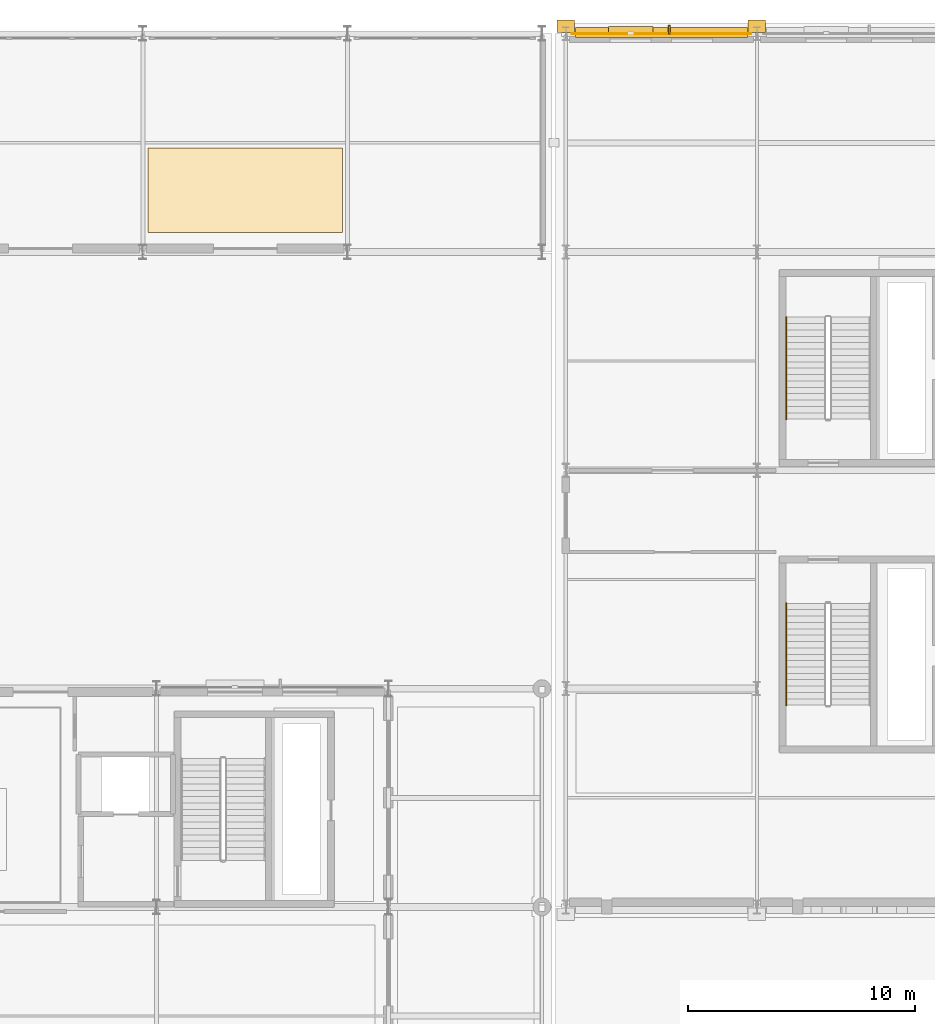
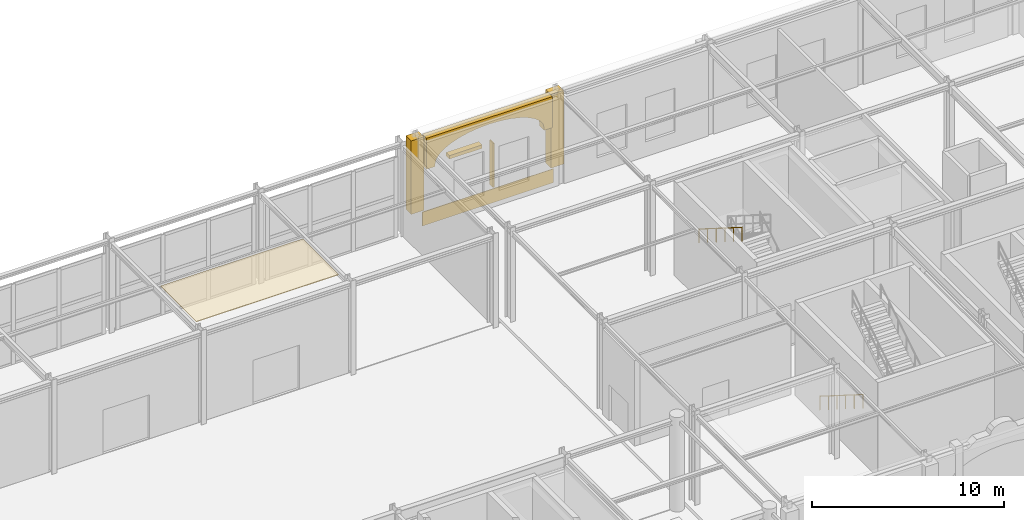
# One storey, part 96 of 113: 5 coverings, 2 railings, 2 shading devices.
"""IFC4 building model written with IfcOpenShell, lengths in metres."""

from ifc_helpers import new_model, si_unit, direction, frame, origin, origin_2d, place, context, subcontext, project, spatial, polyline, rectangle, outline, extrude, material, layer, layer_set, type_object, element, save


model = new_model("IFC4")

# Units and contexts
model_context = context("Model", 3, precision=1e-05, world=origin(), true_north=direction((0.0, 1.0)))
body_context = subcontext(model_context, "Body", "Model", "MODEL_VIEW")
ifc_project = project(units=[si_unit("LENGTHUNIT", "METRE"), si_unit("AREAUNIT", "SQUARE_METRE"), si_unit("VOLUMEUNIT", "CUBIC_METRE"), si_unit("PLANEANGLEUNIT", "RADIAN"), si_unit("MASSUNIT", "GRAM", prefix="KILO")], contexts=[model_context])

# Site, building, storey
site_placement = place(None, origin())
site = spatial("IfcSite", under=ifc_project, at=site_placement, CompositionType="ELEMENT")
building_placement = place(site_placement, origin())
building = spatial("IfcBuilding", under=site, at=building_placement, Name="Myrtia Square Station", CompositionType="ELEMENT")
storey_placement = place(building_placement, origin())
storey = spatial("IfcBuildingStorey", under=building, at=storey_placement, Name="L00", CompositionType="ELEMENT", Elevation=0.0)

# Coverings
ifc_material_1 = material(Name="Pentelic marble ashlar", Category="masonry")
ifc_layer_1 = layer(ifc_material_1, 0.4599609375, Name="Pentelic marble ashlar")
ifc_layer_set_1 = layer_set([ifc_layer_1], Name="Pentelic marble ashlar")
covering_type_1 = type_object("IfcCoveringType", Name="COV-ARCH-ASHLAR", PredefinedType="CLADDING", material=ifc_layer_set_1)
covering_1_placement = place(storey_placement, frame((118.02001953125, 124.85009765625, 3.64990234375), z_axis=(0.0, 0.0, 1.0), x_axis=(1.0, 0.0, 0.0)))
element("IfcCovering", 1, at=covering_1_placement, inside=storey, type_object=covering_type_1, Name="North boulevard facade arch spandrel 028", PredefinedType="CLADDING", context=body_context, shape_type="SweptSolid", body=[
    extrude(outline(polyline([(0.0, 0.0), (0.5, 0.0), (0.5, 0.150146484375), (0.56298828125, 0.42333984375), (0.749755859375, 0.685791015625), (1.052734375, 0.927978515625), (1.460693359375, 1.14013671875), (1.957763671875, 1.314208984375), (2.52490234375, 1.443603515625), (3.14013671875, 1.523193359375), (3.780029296875, 1.550048828125), (4.419921875, 1.523193359375), (5.03515625, 1.443603515625), (5.602294921875, 1.314208984375), (6.099365234375, 1.14013671875), (6.50732421875, 0.927978515625), (6.810302734375, 0.685791015625), (6.9970703125, 0.42333984375), (7.06005859375, 0.150146484375), (7.06005859375, 0.0), (7.56005859375, 0.0), (7.56005859375, 1.97021484375), (0.0, 1.97021484375), (0.0, 0.0)])), frame((0.0, 0.22998046875, 0.0), z_axis=(0.0, -1.0, 0.0), x_axis=(1.0, 0.0, 0.0)), (0.0, 0.0, 1.0), 0.4599609375),
])
for number, where, z_axis, x_axis, name in (
    (2, (117.60009765625, 125.1201171875, 0.919921875), (0.0, 0.0, 1.0), (1.0, 0.0, 0.0), "Classical Pentelic ashlar pilaster 056"),
    (3, (126.0, 125.1201171875, 0.919921875), (0.0, 0.0, 1.0), (1.0, 0.0, 0.0), "Classical Pentelic ashlar pilaster 062"),
):
    element("IfcCovering", number, at=place(storey_placement, frame(where, z_axis=z_axis, x_axis=x_axis)), inside=storey, type_object=covering_type_1, Name=name, PredefinedType="CLADDING", context=body_context, shape_type="SweptSolid", body=[
        extrude(rectangle(XDim=0.780029296875, YDim=0.56005859375, at=origin_2d()), origin(), (0.0, 0.0, 1.0), 4.679931640625),
    ])
ifc_material_2 = material(Name="Acoustic European oak timber", Category="wood")
ifc_layer_2 = layer(ifc_material_2, 0.044921875, Name="Acoustic European oak timber")
ifc_layer_set_2 = layer_set([ifc_layer_2], Name="Acoustic European oak timber")
covering_type_2 = type_object("IfcCoveringType", Name="COV-CEIL-OAK", PredefinedType="CEILING", material=ifc_layer_set_2)
covering_2_placement = place(storey_placement, frame((0.0, 0.0, 5.7099609375)))
element("IfcCovering", 4, at=covering_2_placement, inside=storey, type_object=covering_type_2, Name="Acoustic coffer ceiling L00-21", PredefinedType="CEILING", context=body_context, shape_type="SweptSolid", body=[
    extrude(outline(polyline([(99.219970703125, 116.050048828125), (99.219970703125, 119.780029296875), (107.780029296875, 119.780029296875), (107.780029296875, 116.050048828125), (99.219970703125, 116.050048828125)])), origin(), (0.0, 0.0, 1.0), 0.044921875),
])
ifc_material_3 = material(Name="Polychrome glazed ceramic tile", Category="masonry")
ifc_layer_3 = layer(ifc_material_3, 0.034912109375, Name="Polychrome glazed ceramic tile")
ifc_layer_set_3 = layer_set([ifc_layer_3], Name="Polychrome glazed ceramic tile")
covering_type_3 = type_object("IfcCoveringType", Name="COV-CLAD-FAIENCE", PredefinedType="CLADDING", material=ifc_layer_set_3)
covering_3_placement = place(storey_placement, frame((121.800048828125, 124.797607421875, 0.0), z_axis=(0.0, 0.0, 1.0), x_axis=(1.0, 0.0, 0.0)))
element("IfcCovering", 5, at=covering_3_placement, inside=storey, type_object=covering_type_3, Name="Spanish Colonial Revival dado cladding 018", PredefinedType="CLADDING", context=body_context, shape_type="SweptSolid", body=[
    extrude(rectangle(XDim=7.889892578125, YDim=0.034912109375, at=origin_2d()), origin(), (0.0, 0.0, 1.0), 0.8798828125),
])

# Railings
ifc_material_4 = material(Name="Dark bronze anodised aluminium", Category="aluminium")
railing_type = type_object("IfcRailingType", Name="RL-HANDRAIL-900", PredefinedType="HANDRAIL", material=ifc_material_4)
railing_1_placement = place(storey_placement, frame((127.300048828125, 112.330078125, 3.176513671875)))
element("IfcRailing", 6, at=railing_1_placement, inside=storey, type_object=railing_type, Name="L00 ST07 stair handrail 2", PredefinedType="HANDRAIL", context=body_context, shape_type="SweptSolid", body=[
    extrude(rectangle(XDim=0.048095703125, YDim=0.048095703125, at=origin_2d()), frame((0.0, -0.029296875, 0.894287109375), z_axis=(0.0, -0.845997938375, 0.533186166611), x_axis=(1.0, 0.0, 0.0)), (0.0, 0.0, 1.0), 0.98974609375),
    extrude(rectangle(XDim=0.048095703125, YDim=0.048095703125, at=origin_2d()), frame((0.0, -0.92529296875, 1.458984375), z_axis=(0.0, -0.845997938375, 0.533186166611), x_axis=(1.0, 0.0, 0.0)), (0.0, 0.0, 1.0), 0.98974609375),
    extrude(rectangle(XDim=0.048095703125, YDim=0.048095703125, at=origin_2d()), frame((0.0, -1.8212890625, 2.023681640625), z_axis=(0.0, -0.845997938375, 0.533186166611), x_axis=(1.0, 0.0, 0.0)), (0.0, 0.0, 1.0), 0.98974609375),
    extrude(rectangle(XDim=0.048095703125, YDim=0.048095703125, at=origin_2d()), frame((0.0, -2.71728515625, 2.58837890625), z_axis=(0.0, -0.845997938375, 0.533186166611), x_axis=(1.0, 0.0, 0.0)), (0.0, 0.0, 1.0), 0.98974609375),
    extrude(rectangle(XDim=0.048095703125, YDim=0.048095703125, at=origin_2d()), frame((0.0, -3.61328125, 3.153076171875), z_axis=(0.0, -0.845997938375, 0.533186166611), x_axis=(1.0, 0.0, 0.0)), (0.0, 0.0, 1.0), 0.98974609375),
    extrude(rectangle(XDim=0.0439453125, YDim=0.0439453125, at=origin_2d()), origin(), (0.0, 0.0, 1.0), 0.89990234375),
    extrude(rectangle(XDim=0.0439453125, YDim=0.0439453125, at=origin_2d()), frame((0.0, -0.89599609375, 0.564697265625)), (0.0, 0.0, 1.0), 0.89990234375),
    extrude(rectangle(XDim=0.0439453125, YDim=0.0439453125, at=origin_2d()), frame((0.0, -1.7919921875, 1.12939453125)), (0.0, 0.0, 1.0), 0.89990234375),
    extrude(rectangle(XDim=0.0439453125, YDim=0.0439453125, at=origin_2d()), frame((0.0, -2.68798828125, 1.694091796875)), (0.0, 0.0, 1.0), 0.89990234375),
    extrude(rectangle(XDim=0.0439453125, YDim=0.0439453125, at=origin_2d()), frame((0.0, -3.583984375, 2.2587890625)), (0.0, 0.0, 1.0), 0.89990234375),
    extrude(rectangle(XDim=0.0439453125, YDim=0.0439453125, at=origin_2d()), frame((0.0, -4.47998046875, 2.823486328125)), (0.0, 0.0, 1.0), 0.89990234375),
])
railing_2_placement = place(storey_placement, frame((127.300048828125, 99.75, 0.176513671875)))
element("IfcRailing", 7, at=railing_2_placement, inside=storey, type_object=railing_type, Name="L00 ST12 stair handrail 1", PredefinedType="HANDRAIL", context=body_context, shape_type="SweptSolid", body=[
    extrude(rectangle(XDim=0.048095703125, YDim=0.048095703125, at=origin_2d()), frame((0.0, -0.029296875, 0.894287109375), z_axis=(0.0, -0.845997938375, 0.533186166611), x_axis=(1.0, 0.0, 0.0)), (0.0, 0.0, 1.0), 0.98974609375),
    extrude(rectangle(XDim=0.048095703125, YDim=0.048095703125, at=origin_2d()), frame((0.0, -0.92529296875, 1.458984375), z_axis=(0.0, -0.845997938375, 0.533186166611), x_axis=(1.0, 0.0, 0.0)), (0.0, 0.0, 1.0), 0.98974609375),
    extrude(rectangle(XDim=0.048095703125, YDim=0.048095703125, at=origin_2d()), frame((0.0, -1.8212890625, 2.023681640625), z_axis=(0.0, -0.845997938375, 0.533186166611), x_axis=(1.0, 0.0, 0.0)), (0.0, 0.0, 1.0), 0.98974609375),
    extrude(rectangle(XDim=0.048095703125, YDim=0.048095703125, at=origin_2d()), frame((0.0, -2.71728515625, 2.58837890625), z_axis=(0.0, -0.845997938375, 0.533186166611), x_axis=(1.0, 0.0, 0.0)), (0.0, 0.0, 1.0), 0.98974609375),
    extrude(rectangle(XDim=0.048095703125, YDim=0.048095703125, at=origin_2d()), frame((0.0, -3.61328125, 3.153076171875), z_axis=(0.0, -0.845997938375, 0.533186166611), x_axis=(1.0, 0.0, 0.0)), (0.0, 0.0, 1.0), 0.98974609375),
    extrude(rectangle(XDim=0.0439453125, YDim=0.0439453125, at=origin_2d()), origin(), (0.0, 0.0, 1.0), 0.89990234375),
    extrude(rectangle(XDim=0.0439453125, YDim=0.0439453125, at=origin_2d()), frame((0.0, -0.89599609375, 0.564697265625)), (0.0, 0.0, 1.0), 0.89990234375),
    extrude(rectangle(XDim=0.0439453125, YDim=0.0439453125, at=origin_2d()), frame((0.0, -1.7919921875, 1.12939453125)), (0.0, 0.0, 1.0), 0.89990234375),
    extrude(rectangle(XDim=0.0439453125, YDim=0.0439453125, at=origin_2d()), frame((0.0, -2.68798828125, 1.694091796875)), (0.0, 0.0, 1.0), 0.89990234375),
    extrude(rectangle(XDim=0.0439453125, YDim=0.0439453125, at=origin_2d()), frame((0.0, -3.583984375, 2.2587890625)), (0.0, 0.0, 1.0), 0.89990234375),
    extrude(rectangle(XDim=0.0439453125, YDim=0.0439453125, at=origin_2d()), frame((0.0, -4.47998046875, 2.823486328125)), (0.0, 0.0, 1.0), 0.89990234375),
])

# Shading devices
shading_device_type_1 = type_object("IfcShadingDeviceType", Name="SHD-FIN-BRONZE", PredefinedType="USERDEFINED", material=ifc_material_4)
shading_device_1_placement = place(storey_placement, frame((122.14794921875, 124.969970703125, 0.9501953125), z_axis=(0.0, 0.0, 1.0), x_axis=(1.0, 0.0, 0.0)))
element("IfcShadingDevice", 8, at=shading_device_1_placement, inside=storey, type_object=shading_device_type_1, Name="Vertical bronze solar fin SHF-031", ObjectType="FIN", PredefinedType="USERDEFINED", context=body_context, shape_type="SweptSolid", body=[
    extrude(rectangle(XDim=0.080078125, YDim=0.389892578125, at=origin_2d()), origin(), (0.0, 0.0, 1.0), 2.800048828125),
])
shading_device_type_2 = type_object("IfcShadingDeviceType", Name="SHD-JALOUSIE-BRONZE", PredefinedType="JALOUSIE", material=ifc_material_4)
shading_device_2_placement = place(storey_placement, frame((120.451904296875, 124.949951171875, 3.68994140625), z_axis=(0.0, 0.0, 1.0), x_axis=(1.0, 0.0, 0.0)))
element("IfcShadingDevice", 9, at=shading_device_2_placement, inside=storey, type_object=shading_device_type_2, Name="Mediterranean bronze solar louvre SHL-031", PredefinedType="JALOUSIE", context=body_context, shape_type="SweptSolid", body=[
    extrude(rectangle(XDim=1.9599609375, YDim=0.35009765625, at=origin_2d()), origin(), (0.0, 0.0, 1.0), 0.219970703125),
])

save(model, "model.ifc")
